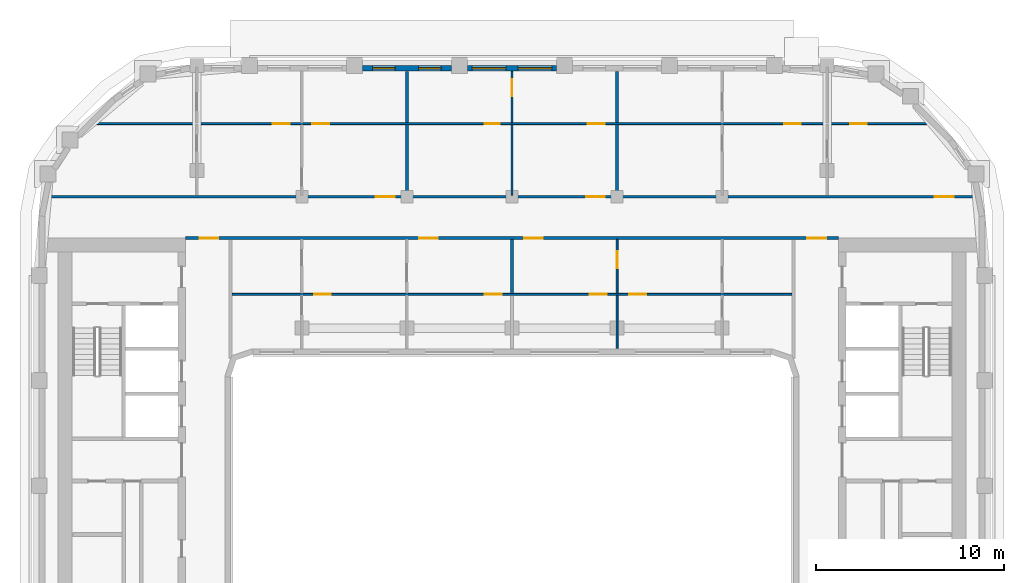
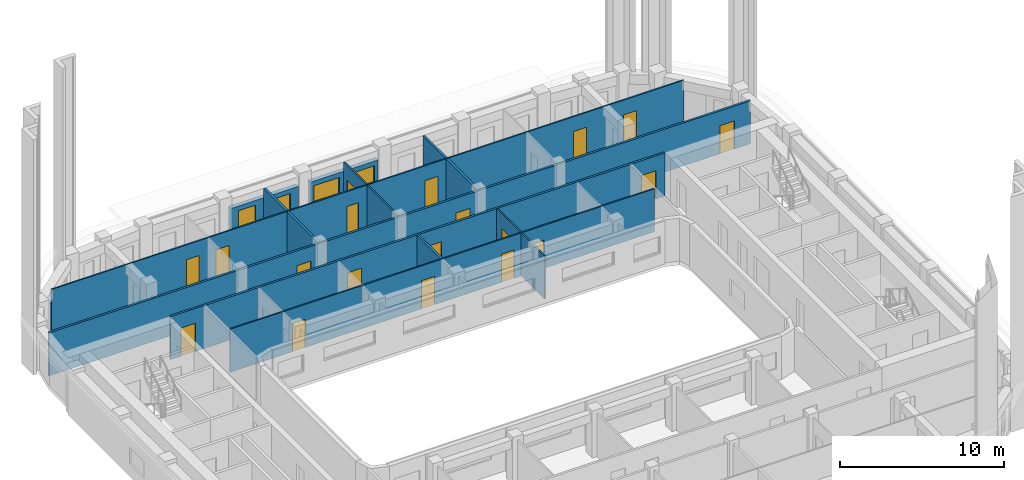
# One storey, part 7 of 21: 19 doors, 15 walls, 4 windows, 23 openings.
"""IFC4 building model written with IfcOpenShell, lengths in metres."""

from ifc_helpers import new_model, si_unit, direction, frame, frame_2d, origin, place, context, subcontext, project, spatial, rectangle, extrude, material, layer, layer_set, type_object, element, fill, save


model = new_model("IFC4")

# Units and contexts
model_context = context("Model", 3, precision=1e-05, world=origin(), true_north=direction((0.0, 1.0)))
body_context = subcontext(model_context, "Body", "Model", "MODEL_VIEW")
ifc_project = project(units=[si_unit("LENGTHUNIT", "METRE"), si_unit("AREAUNIT", "SQUARE_METRE"), si_unit("VOLUMEUNIT", "CUBIC_METRE"), si_unit("PLANEANGLEUNIT", "RADIAN"), si_unit("MASSUNIT", "GRAM", prefix="KILO")], contexts=[model_context])

# Site, building, storey
site_placement = place(None, origin())
site = spatial("IfcSite", under=ifc_project, at=site_placement, CompositionType="ELEMENT")
building_placement = place(site_placement, origin())
building = spatial("IfcBuilding", under=site, at=building_placement, Name="Kiln Ring Residences", CompositionType="ELEMENT")
storey_placement = place(building_placement, frame((0.0, 0.0, 213.39990234375)))
storey = spatial("IfcBuildingStorey", under=building, at=storey_placement, Name="L55", CompositionType="ELEMENT", Elevation=213.39990234375)

# Wall, openings, windows
ifc_material_1 = material(Name="Brick masonry, dark clay brick", Category="masonry")
ifc_layer_1 = layer(ifc_material_1, 0.300048828125)
ifc_layer_set_1 = layer_set([ifc_layer_1], Name="EW-300 BRICK WALL")
wall_type_1 = type_object("IfcWallType", Name="EW-300 BRICK WALL", PredefinedType="SOLIDWALL", material=ifc_layer_set_1)
wall_1_placement = place(storey_placement, frame((2.375, 22.25, 0.0), z_axis=(0.0, 0.0, 1.0), x_axis=(-1.0, 0.0, 0.0)))
wall_1 = element("IfcWall", 1, at=wall_1_placement, inside=storey, type_object=wall_type_1, Name="Facade wall L55 30", PredefinedType="SOLIDWALL", context=body_context, shape_type="SweptSolid", body=[
    extrude(rectangle(XDim=4.75, YDim=0.300048828125, at=frame_2d((2.375, 0.0))), origin(), (0.0, 0.0, 1.0), 2.5),
])
opening_1_placement = place(wall_1_placement, frame((0.25, 0.0, 0.89990234375)))
opening_1 = element("IfcOpeningElement", 2, at=opening_1_placement, cuts=wall_1, Name="Opening W2", PredefinedType="OPENING", context=body_context, shape_type="SweptSolid", body=[
    extrude(rectangle(XDim=1.800048828125, YDim=1.25, at=frame_2d((0.89990234375, 0.625))), frame((0.0, 0.159912109375, 0.0), z_axis=(0.0, -1.0, 0.0), x_axis=(1.0, 0.0, 0.0)), (0.0, 0.0, 1.0), 0.320068359375),
])
opening_2_placement = place(wall_1_placement, frame((2.699951171875, 0.0, 0.89990234375)))
opening_2 = element("IfcOpeningElement", 3, at=opening_2_placement, cuts=wall_1, Name="Opening W2", PredefinedType="OPENING", context=body_context, shape_type="SweptSolid", body=[
    extrude(rectangle(XDim=1.800048828125, YDim=1.25, at=frame_2d((0.89990234375, 0.625))), frame((0.0, 0.159912109375, 0.0), z_axis=(0.0, -1.0, 0.0), x_axis=(1.0, 0.0, 0.0)), (0.0, 0.0, 1.0), 0.320068359375),
])
ifc_material_2 = material(Name="Aluminium frame with double glazing", Category="aluminium")
window_type_1 = type_object("IfcWindowType", Name="WINDOW 1800 x 1250", PartitioningType="SINGLE_PANEL", PredefinedType="WINDOW", material=ifc_material_2)
window_1_placement = place(opening_1_placement, origin())
window_1 = element("IfcWindow", 4, at=window_1_placement, inside=storey, type_object=window_type_1, Name="Window L55 24", OverallHeight=1.25, OverallWidth=1.800048828125, PartitioningType="SINGLE_PANEL", PredefinedType="WINDOW", context=body_context, shape_type="SweptSolid", body=[
    extrude(rectangle(XDim=1.800048828125, YDim=1.25, at=frame_2d((0.89990234375, 0.625))), frame((0.0, 0.030029296875, 0.0), z_axis=(0.0, -1.0, 0.0), x_axis=(1.0, 0.0, 0.0)), (0.0, 0.0, 1.0), 0.06005859375),
])
fill(opening_1, window_1)
window_2_placement = place(opening_2_placement, origin())
window_2 = element("IfcWindow", 5, at=window_2_placement, inside=storey, type_object=window_type_1, Name="Window L55 25", OverallHeight=1.25, OverallWidth=1.800048828125, PartitioningType="SINGLE_PANEL", PredefinedType="WINDOW", context=body_context, shape_type="SweptSolid", body=[
    extrude(rectangle(XDim=1.800048828125, YDim=1.25, at=frame_2d((0.89990234375, 0.625))), frame((0.0, 0.030029296875, 0.0), z_axis=(0.0, -1.0, 0.0), x_axis=(1.0, 0.0, 0.0)), (0.0, 0.0, 1.0), 0.06005859375),
])
fill(opening_2, window_2)

wall_2_placement = place(storey_placement, frame((-3.22509765625, 22.25, 0.0), z_axis=(0.0, 0.0, 1.0), x_axis=(-1.0, 0.0, 0.0)))
wall_2 = element("IfcWall", 6, at=wall_2_placement, inside=storey, type_object=wall_type_1, Name="Facade wall L55 31", PredefinedType="SOLIDWALL", context=body_context, shape_type="SweptSolid", body=[
    extrude(rectangle(XDim=4.75, YDim=0.300048828125, at=frame_2d((2.375, 0.0))), origin(), (0.0, 0.0, 1.0), 2.5),
])
opening_3_placement = place(wall_2_placement, frame((0.550048828125, 0.0, 0.60009765625)))
opening_3 = element("IfcOpeningElement", 7, at=opening_3_placement, cuts=wall_2, Name="Opening W1", PredefinedType="OPENING", context=body_context, shape_type="SweptSolid", body=[
    extrude(rectangle(XDim=1.199951171875, YDim=1.550048828125, at=frame_2d((0.60009765625, 0.77490234375))), frame((0.0, 0.159912109375, 0.0), z_axis=(0.0, -1.0, 0.0), x_axis=(1.0, 0.0, 0.0)), (0.0, 0.0, 1.0), 0.320068359375),
])
opening_4_placement = place(wall_2_placement, frame((3.0, 0.0, 0.60009765625)))
opening_4 = element("IfcOpeningElement", 8, at=opening_4_placement, cuts=wall_2, Name="Opening W1", PredefinedType="OPENING", context=body_context, shape_type="SweptSolid", body=[
    extrude(rectangle(XDim=1.199951171875, YDim=1.550048828125, at=frame_2d((0.60009765625, 0.77490234375))), frame((0.0, 0.159912109375, 0.0), z_axis=(0.0, -1.0, 0.0), x_axis=(1.0, 0.0, 0.0)), (0.0, 0.0, 1.0), 0.320068359375),
])
ifc_material_3 = material(Name="Aluminium frame with double glazing", Category="aluminium")
window_type_2 = type_object("IfcWindowType", Name="WINDOW 1200 x 1550", PartitioningType="SINGLE_PANEL", PredefinedType="WINDOW", material=ifc_material_3)
window_3_placement = place(opening_3_placement, origin())
window_3 = element("IfcWindow", 9, at=window_3_placement, inside=storey, type_object=window_type_2, Name="Window L55 26", OverallHeight=1.550048828125, OverallWidth=1.199951171875, PartitioningType="SINGLE_PANEL", PredefinedType="WINDOW", context=body_context, shape_type="SweptSolid", body=[
    extrude(rectangle(XDim=1.199951171875, YDim=1.550048828125, at=frame_2d((0.60009765625, 0.77490234375))), frame((0.0, 0.030029296875, 0.0), z_axis=(0.0, -1.0, 0.0), x_axis=(1.0, 0.0, 0.0)), (0.0, 0.0, 1.0), 0.06005859375),
])
fill(opening_3, window_3)
window_4_placement = place(opening_4_placement, origin())
window_4 = element("IfcWindow", 10, at=window_4_placement, inside=storey, type_object=window_type_2, Name="Window L55 27", OverallHeight=1.550048828125, OverallWidth=1.199951171875, PartitioningType="SINGLE_PANEL", PredefinedType="WINDOW", context=body_context, shape_type="SweptSolid", body=[
    extrude(rectangle(XDim=1.199951171875, YDim=1.550048828125, at=frame_2d((0.60009765625, 0.77490234375))), frame((0.0, 0.030029296875, 0.0), z_axis=(0.0, -1.0, 0.0), x_axis=(1.0, 0.0, 0.0)), (0.0, 0.0, 1.0), 0.06005859375),
])
fill(opening_4, window_4)

# Wall, openings, doors
ifc_material_4 = material(Name="Gypsum board on steel studs", Category="steel")
ifc_layer_2 = layer(ifc_material_4, 0.10009765625)
ifc_layer_set_2 = layer_set([ifc_layer_2], Name="PARTITION-100")
wall_type_2 = type_object("IfcWallType", Name="PARTITION-100", PredefinedType="PARTITIONING", material=ifc_layer_set_2)
wall_3_placement = place(storey_placement, frame((-14.925048828125, 10.199951171875, 0.0), z_axis=(0.0, 0.0, 1.0), x_axis=(1.0, 0.0, 0.0)))
wall_3 = element("IfcWall", 11, at=wall_3_placement, inside=storey, type_object=wall_type_2, Name="Partition 003", PredefinedType="PARTITIONING", context=body_context, shape_type="SweptSolid", body=[
    extrude(rectangle(XDim=29.85009765625, YDim=0.10009765625, at=frame_2d((14.925048828125, 0.0))), origin(), (0.0, 0.0, 1.0), 3.2001953125),
])
opening_5_placement = place(wall_3_placement, frame((13.47509765625, 0.0, 0.0)))
opening_5 = element("IfcOpeningElement", 12, at=opening_5_placement, cuts=wall_3, Name="Opening L55-D008", PredefinedType="OPENING", context=body_context, shape_type="SweptSolid", body=[
    extrude(rectangle(XDim=0.89990234375, YDim=2.10009765625, at=frame_2d((0.449951171875, 1.050048828125))), frame((0.0, 0.06005859375, 0.0), z_axis=(0.0, -1.0, 0.0), x_axis=(1.0, 0.0, 0.0)), (0.0, 0.0, 1.0), 0.1201171875),
])
opening_6_placement = place(wall_3_placement, frame((4.375, 0.0, 0.0)))
opening_6 = element("IfcOpeningElement", 13, at=opening_6_placement, cuts=wall_3, Name="Opening L55-D009", PredefinedType="OPENING", context=body_context, shape_type="SweptSolid", body=[
    extrude(rectangle(XDim=0.89990234375, YDim=2.10009765625, at=frame_2d((0.449951171875, 1.050048828125))), frame((0.0, 0.06005859375, 0.0), z_axis=(0.0, -1.0, 0.0), x_axis=(1.0, 0.0, 0.0)), (0.0, 0.0, 1.0), 0.1201171875),
])
opening_7_placement = place(wall_3_placement, frame((19.074951171875, 0.0, 0.0)))
opening_7 = element("IfcOpeningElement", 14, at=opening_7_placement, cuts=wall_3, Name="Opening L55-D014", PredefinedType="OPENING", context=body_context, shape_type="SweptSolid", body=[
    extrude(rectangle(XDim=0.89990234375, YDim=2.10009765625, at=frame_2d((0.449951171875, 1.050048828125))), frame((0.0, 0.06005859375, 0.0), z_axis=(0.0, -1.0, 0.0), x_axis=(1.0, 0.0, 0.0)), (0.0, 0.0, 1.0), 0.1201171875),
])
opening_8_placement = place(wall_3_placement, frame((21.175048828125, 0.0, 0.0)))
opening_8 = element("IfcOpeningElement", 15, at=opening_8_placement, cuts=wall_3, Name="Opening L55-D015", PredefinedType="OPENING", context=body_context, shape_type="SweptSolid", body=[
    extrude(rectangle(XDim=0.89990234375, YDim=2.10009765625, at=frame_2d((0.449951171875, 1.050048828125))), frame((0.0, 0.06005859375, 0.0), z_axis=(0.0, -1.0, 0.0), x_axis=(1.0, 0.0, 0.0)), (0.0, 0.0, 1.0), 0.1201171875),
])
ifc_material_5 = material(Name="Timber door leaf", Category="wood")
door_type_1 = type_object("IfcDoorType", Name="FLAT-DOOR-900-PL", OperationType="SINGLE_SWING_LEFT", PredefinedType="DOOR", material=ifc_material_5)
door_1_placement = place(opening_5_placement, origin())
door_1 = element("IfcDoor", 16, at=door_1_placement, inside=storey, type_object=door_type_1, Name="Door L55-D008", OperationType="SINGLE_SWING_RIGHT", OverallHeight=2.10009765625, OverallWidth=0.89990234375, PredefinedType="DOOR", context=body_context, shape_type="SweptSolid", body=[
    extrude(rectangle(XDim=0.89990234375, YDim=2.10009765625, at=frame_2d((0.449951171875, 1.050048828125))), frame((0.0, 0.02490234375, 0.0), z_axis=(0.0, -1.0, 0.0), x_axis=(1.0, 0.0, 0.0)), (0.0, 0.0, 1.0), 0.050048828125),
])
fill(opening_5, door_1)
door_2_placement = place(opening_6_placement, origin())
door_2 = element("IfcDoor", 17, at=door_2_placement, inside=storey, type_object=door_type_1, Name="Door L55-D009", OperationType="SINGLE_SWING_LEFT", OverallHeight=2.10009765625, OverallWidth=0.89990234375, PredefinedType="DOOR", context=body_context, shape_type="SweptSolid", body=[
    extrude(rectangle(XDim=0.89990234375, YDim=2.10009765625, at=frame_2d((0.449951171875, 1.050048828125))), frame((0.0, 0.02490234375, 0.0), z_axis=(0.0, -1.0, 0.0), x_axis=(1.0, 0.0, 0.0)), (0.0, 0.0, 1.0), 0.050048828125),
])
fill(opening_6, door_2)
door_3_placement = place(opening_7_placement, origin())
door_3 = element("IfcDoor", 18, at=door_3_placement, inside=storey, type_object=door_type_1, Name="Door L55-D014", OperationType="SINGLE_SWING_RIGHT", OverallHeight=2.10009765625, OverallWidth=0.89990234375, PredefinedType="DOOR", context=body_context, shape_type="SweptSolid", body=[
    extrude(rectangle(XDim=0.89990234375, YDim=2.10009765625, at=frame_2d((0.449951171875, 1.050048828125))), frame((0.0, 0.02490234375, 0.0), z_axis=(0.0, -1.0, 0.0), x_axis=(1.0, 0.0, 0.0)), (0.0, 0.0, 1.0), 0.050048828125),
])
fill(opening_7, door_3)
door_4_placement = place(opening_8_placement, origin())
door_4 = element("IfcDoor", 19, at=door_4_placement, inside=storey, type_object=door_type_1, Name="Door L55-D015", OperationType="SINGLE_SWING_LEFT", OverallHeight=2.10009765625, OverallWidth=0.89990234375, PredefinedType="DOOR", context=body_context, shape_type="SweptSolid", body=[
    extrude(rectangle(XDim=0.89990234375, YDim=2.10009765625, at=frame_2d((0.449951171875, 1.050048828125))), frame((0.0, 0.02490234375, 0.0), z_axis=(0.0, -1.0, 0.0), x_axis=(1.0, 0.0, 0.0)), (0.0, 0.0, 1.0), 0.050048828125),
])
fill(opening_8, door_4)

wall_4_placement = place(storey_placement, frame((-22.255615234375, 19.300048828125, 0.0), z_axis=(0.0, 0.0, 1.0), x_axis=(1.0, 0.0, 0.0)))
wall_4 = element("IfcWall", 20, at=wall_4_placement, inside=storey, type_object=wall_type_2, Name="Partition 006", PredefinedType="PARTITIONING", context=body_context, shape_type="SweptSolid", body=[
    extrude(rectangle(XDim=44.51123046875, YDim=0.10009765625, at=frame_2d((22.255615234375, 0.0))), origin(), (0.0, 0.0, 1.0), 3.2001953125),
])
opening_9_placement = place(wall_4_placement, frame((11.605712890625, 0.0, 0.0)))
opening_9 = element("IfcOpeningElement", 21, at=opening_9_placement, cuts=wall_4, Name="Opening L55-D020", PredefinedType="OPENING", context=body_context, shape_type="SweptSolid", body=[
    extrude(rectangle(XDim=0.89990234375, YDim=2.10009765625, at=frame_2d((0.449951171875, 1.050048828125))), frame((0.0, 0.06005859375, 0.0), z_axis=(0.0, -1.0, 0.0), x_axis=(1.0, 0.0, 0.0)), (0.0, 0.0, 1.0), 0.1201171875),
])
opening_10_placement = place(wall_4_placement, frame((9.505615234375, 0.0, 0.0)))
opening_10 = element("IfcOpeningElement", 22, at=opening_10_placement, cuts=wall_4, Name="Opening L55-D021", PredefinedType="OPENING", context=body_context, shape_type="SweptSolid", body=[
    extrude(rectangle(XDim=0.89990234375, YDim=2.10009765625, at=frame_2d((0.449951171875, 1.050048828125))), frame((0.0, 0.06005859375, 0.0), z_axis=(0.0, -1.0, 0.0), x_axis=(1.0, 0.0, 0.0)), (0.0, 0.0, 1.0), 0.1201171875),
])
opening_11_placement = place(wall_4_placement, frame((20.8056640625, 0.0, 0.0)))
opening_11 = element("IfcOpeningElement", 23, at=opening_11_placement, cuts=wall_4, Name="Opening L55-D024", PredefinedType="OPENING", context=body_context, shape_type="SweptSolid", body=[
    extrude(rectangle(XDim=0.800048828125, YDim=2.10009765625, at=frame_2d((0.39990234375, 1.050048828125))), frame((0.0, 0.06005859375, 0.0), z_axis=(0.0, -1.0, 0.0), x_axis=(1.0, 0.0, 0.0)), (0.0, 0.0, 1.0), 0.1201171875),
])
opening_12_placement = place(wall_4_placement, frame((26.3056640625, 0.0, 0.0)))
opening_12 = element("IfcOpeningElement", 24, at=opening_12_placement, cuts=wall_4, Name="Opening L55-D025", PredefinedType="OPENING", context=body_context, shape_type="SweptSolid", body=[
    extrude(rectangle(XDim=0.89990234375, YDim=2.10009765625, at=frame_2d((0.449951171875, 1.050048828125))), frame((0.0, 0.06005859375, 0.0), z_axis=(0.0, -1.0, 0.0), x_axis=(1.0, 0.0, 0.0)), (0.0, 0.0, 1.0), 0.1201171875),
])
opening_13_placement = place(wall_4_placement, frame((40.277587890625, 0.0, 0.0)))
opening_13 = element("IfcOpeningElement", 25, at=opening_13_placement, cuts=wall_4, Name="Opening L55-D030", PredefinedType="OPENING", context=body_context, shape_type="SweptSolid", body=[
    extrude(rectangle(XDim=0.89990234375, YDim=2.10009765625, at=frame_2d((0.449951171875, 1.050048828125))), frame((0.0, 0.06005859375, 0.0), z_axis=(0.0, -1.0, 0.0), x_axis=(1.0, 0.0, 0.0)), (0.0, 0.0, 1.0), 0.1201171875),
])
opening_14_placement = place(wall_4_placement, frame((36.755615234375, 0.0, 0.0)))
opening_14 = element("IfcOpeningElement", 26, at=opening_14_placement, cuts=wall_4, Name="Opening L55-D031", PredefinedType="OPENING", context=body_context, shape_type="SweptSolid", body=[
    extrude(rectangle(XDim=0.89990234375, YDim=2.10009765625, at=frame_2d((0.449951171875, 1.050048828125))), frame((0.0, 0.06005859375, 0.0), z_axis=(0.0, -1.0, 0.0), x_axis=(1.0, 0.0, 0.0)), (0.0, 0.0, 1.0), 0.1201171875),
])
ifc_material_6 = material(Name="Timber door leaf", Category="wood")
door_type_2 = type_object("IfcDoorType", Name="FLAT-DOOR-800-PL", OperationType="SINGLE_SWING_LEFT", PredefinedType="DOOR", material=ifc_material_6)
door_5_placement = place(opening_11_placement, origin())
door_5 = element("IfcDoor", 27, at=door_5_placement, inside=storey, type_object=door_type_2, Name="Door L55-D024", OperationType="SINGLE_SWING_RIGHT", OverallHeight=2.10009765625, OverallWidth=0.800048828125, PredefinedType="DOOR", context=body_context, shape_type="SweptSolid", body=[
    extrude(rectangle(XDim=0.800048828125, YDim=2.10009765625, at=frame_2d((0.39990234375, 1.050048828125))), frame((0.0, 0.02490234375, 0.0), z_axis=(0.0, -1.0, 0.0), x_axis=(1.0, 0.0, 0.0)), (0.0, 0.0, 1.0), 0.050048828125),
])
fill(opening_11, door_5)
door_6_placement = place(opening_9_placement, origin())
door_6 = element("IfcDoor", 28, at=door_6_placement, inside=storey, type_object=door_type_1, Name="Door L55-D020", OperationType="SINGLE_SWING_RIGHT", OverallHeight=2.10009765625, OverallWidth=0.89990234375, PredefinedType="DOOR", context=body_context, shape_type="SweptSolid", body=[
    extrude(rectangle(XDim=0.89990234375, YDim=2.10009765625, at=frame_2d((0.449951171875, 1.050048828125))), frame((0.0, 0.02490234375, 0.0), z_axis=(0.0, -1.0, 0.0), x_axis=(1.0, 0.0, 0.0)), (0.0, 0.0, 1.0), 0.050048828125),
])
fill(opening_9, door_6)
door_7_placement = place(opening_10_placement, origin())
door_7 = element("IfcDoor", 29, at=door_7_placement, inside=storey, type_object=door_type_1, Name="Door L55-D021", OperationType="SINGLE_SWING_LEFT", OverallHeight=2.10009765625, OverallWidth=0.89990234375, PredefinedType="DOOR", context=body_context, shape_type="SweptSolid", body=[
    extrude(rectangle(XDim=0.89990234375, YDim=2.10009765625, at=frame_2d((0.449951171875, 1.050048828125))), frame((0.0, 0.02490234375, 0.0), z_axis=(0.0, -1.0, 0.0), x_axis=(1.0, 0.0, 0.0)), (0.0, 0.0, 1.0), 0.050048828125),
])
fill(opening_10, door_7)
door_8_placement = place(opening_12_placement, origin())
door_8 = element("IfcDoor", 30, at=door_8_placement, inside=storey, type_object=door_type_1, Name="Door L55-D025", OperationType="SINGLE_SWING_LEFT", OverallHeight=2.10009765625, OverallWidth=0.89990234375, PredefinedType="DOOR", context=body_context, shape_type="SweptSolid", body=[
    extrude(rectangle(XDim=0.89990234375, YDim=2.10009765625, at=frame_2d((0.449951171875, 1.050048828125))), frame((0.0, 0.02490234375, 0.0), z_axis=(0.0, -1.0, 0.0), x_axis=(1.0, 0.0, 0.0)), (0.0, 0.0, 1.0), 0.050048828125),
])
fill(opening_12, door_8)
door_9_placement = place(opening_13_placement, origin())
door_9 = element("IfcDoor", 31, at=door_9_placement, inside=storey, type_object=door_type_1, Name="Door L55-D030", OperationType="SINGLE_SWING_RIGHT", OverallHeight=2.10009765625, OverallWidth=0.89990234375, PredefinedType="DOOR", context=body_context, shape_type="SweptSolid", body=[
    extrude(rectangle(XDim=0.89990234375, YDim=2.10009765625, at=frame_2d((0.449951171875, 1.050048828125))), frame((0.0, 0.02490234375, 0.0), z_axis=(0.0, -1.0, 0.0), x_axis=(1.0, 0.0, 0.0)), (0.0, 0.0, 1.0), 0.050048828125),
])
fill(opening_13, door_9)
door_10_placement = place(opening_14_placement, origin())
door_10 = element("IfcDoor", 32, at=door_10_placement, inside=storey, type_object=door_type_1, Name="Door L55-D031", OperationType="SINGLE_SWING_LEFT", OverallHeight=2.10009765625, OverallWidth=0.89990234375, PredefinedType="DOOR", context=body_context, shape_type="SweptSolid", body=[
    extrude(rectangle(XDim=0.89990234375, YDim=2.10009765625, at=frame_2d((0.449951171875, 1.050048828125))), frame((0.0, 0.02490234375, 0.0), z_axis=(0.0, -1.0, 0.0), x_axis=(1.0, 0.0, 0.0)), (0.0, 0.0, 1.0), 0.050048828125),
])
fill(opening_14, door_10)

# Wall
wall_5_placement = place(storey_placement, frame((0.0, 15.47509765625, 0.0), z_axis=(0.0, 0.0, 1.0), x_axis=(0.0, 1.0, 0.0)))
element("IfcWall", 33, at=wall_5_placement, inside=storey, type_object=wall_type_2, Name="Partition 030", PredefinedType="PARTITIONING", context=body_context, shape_type="SweptSolid", body=[
    extrude(rectangle(XDim=3.77490234375, YDim=0.10009765625, at=frame_2d((1.887451171875, 0.0))), origin(), (0.0, 0.0, 1.0), 3.2001953125),
])

# Wall, opening, door
wall_6_placement = place(storey_placement, frame((0.0, 19.35009765625, 0.0), z_axis=(0.0, 0.0, 1.0), x_axis=(0.0, 1.0, 0.0)))
wall_6 = element("IfcWall", 34, at=wall_6_placement, inside=storey, type_object=wall_type_2, Name="Partition 031", PredefinedType="PARTITIONING", context=body_context, shape_type="SweptSolid", body=[
    extrude(rectangle(XDim=2.72998046875, YDim=0.10009765625, at=frame_2d((1.364990234375, 0.0))), origin(), (0.0, 0.0, 1.0), 3.2001953125),
])
opening_15_placement = place(wall_6_placement, frame((1.409912109375, 0.0, 0.0)))
opening_15 = element("IfcOpeningElement", 35, at=opening_15_placement, cuts=wall_6, Name="Opening L55-D026", PredefinedType="OPENING", context=body_context, shape_type="SweptSolid", body=[
    extrude(rectangle(XDim=0.89990234375, YDim=2.10009765625, at=frame_2d((0.449951171875, 1.050048828125))), frame((0.0, 0.06005859375, 0.0), z_axis=(0.0, -1.0, 0.0), x_axis=(1.0, 0.0, 0.0)), (0.0, 0.0, 1.0), 0.1201171875),
])
door_11_placement = place(opening_15_placement, origin())
door_11 = element("IfcDoor", 36, at=door_11_placement, inside=storey, type_object=door_type_1, Name="Door L55-D026", OperationType="SINGLE_SWING_LEFT", OverallHeight=2.10009765625, OverallWidth=0.89990234375, PredefinedType="DOOR", context=body_context, shape_type="SweptSolid", body=[
    extrude(rectangle(XDim=0.89990234375, YDim=2.10009765625, at=frame_2d((0.449951171875, 1.050048828125))), frame((0.0, 0.02490234375, 0.0), z_axis=(0.0, -1.0, 0.0), x_axis=(1.0, 0.0, 0.0)), (0.0, 0.0, 1.0), 0.050048828125),
])
fill(opening_15, door_11)

# Wall
wall_7_placement = place(storey_placement, frame((5.60009765625, 7.320068359375, 0.0), z_axis=(0.0, 0.0, 1.0), x_axis=(0.0, 1.0, 0.0)))
element("IfcWall", 37, at=wall_7_placement, inside=storey, type_object=wall_type_2, Name="Partition 035", PredefinedType="PARTITIONING", context=body_context, shape_type="SweptSolid", body=[
    extrude(rectangle(XDim=2.829833984375, YDim=0.10009765625, at=frame_2d((1.4150390625, 0.0))), origin(), (0.0, 0.0, 1.0), 3.2001953125),
])

# Wall, opening, door
wall_8_placement = place(storey_placement, frame((5.60009765625, 10.25, 0.0), z_axis=(0.0, 0.0, 1.0), x_axis=(0.0, 1.0, 0.0)))
wall_8 = element("IfcWall", 38, at=wall_8_placement, inside=storey, type_object=wall_type_2, Name="Partition 036", PredefinedType="PARTITIONING", context=body_context, shape_type="SweptSolid", body=[
    extrude(rectangle(XDim=2.875, YDim=0.10009765625, at=frame_2d((1.4375, 0.0))), origin(), (0.0, 0.0, 1.0), 3.2001953125),
])
opening_16_placement = place(wall_8_placement, frame((1.35009765625, 0.0, 0.0)))
opening_16 = element("IfcOpeningElement", 39, at=opening_16_placement, cuts=wall_8, Name="Opening L55-D012", PredefinedType="OPENING", context=body_context, shape_type="SweptSolid", body=[
    extrude(rectangle(XDim=0.89990234375, YDim=2.10009765625, at=frame_2d((0.449951171875, 1.050048828125))), frame((0.0, 0.06005859375, 0.0), z_axis=(0.0, -1.0, 0.0), x_axis=(1.0, 0.0, 0.0)), (0.0, 0.0, 1.0), 0.1201171875),
])
door_12_placement = place(opening_16_placement, origin())
door_12 = element("IfcDoor", 40, at=door_12_placement, inside=storey, type_object=door_type_1, Name="Door L55-D012", OperationType="SINGLE_SWING_RIGHT", OverallHeight=2.10009765625, OverallWidth=0.89990234375, PredefinedType="DOOR", context=body_context, shape_type="SweptSolid", body=[
    extrude(rectangle(XDim=0.89990234375, YDim=2.10009765625, at=frame_2d((0.449951171875, 1.050048828125))), frame((0.0, 0.02490234375, 0.0), z_axis=(0.0, -1.0, 0.0), x_axis=(1.0, 0.0, 0.0)), (0.0, 0.0, 1.0), 0.050048828125),
])
fill(opening_16, door_12)

# Wall, openings, doors
ifc_material_7 = material(Name="Brick masonry partition", Category="masonry")
ifc_layer_3 = layer(ifc_material_7, 0.14990234375)
ifc_layer_set_3 = layer_set([ifc_layer_3], Name="PARTITION-150-ei60")
wall_type_3 = type_object("IfcWallType", Name="PARTITION-150-ei60", PredefinedType="PARTITIONING", material=ifc_layer_set_3)
wall_9_placement = place(storey_placement, frame((-17.39990234375, 13.199951171875, 0.0), z_axis=(0.0, 0.0, 1.0), x_axis=(1.0, 0.0, 0.0)))
wall_9 = element("IfcWall", 41, at=wall_9_placement, inside=storey, type_object=wall_type_3, Name="Partition 004", PredefinedType="PARTITIONING", context=body_context, shape_type="SweptSolid", body=[
    extrude(rectangle(XDim=34.7998046875, YDim=0.14990234375, at=frame_2d((17.39990234375, 0.0))), origin(), (0.0, 0.0, 1.0), 3.2001953125),
])
opening_17_placement = place(wall_9_placement, frame((0.75, 0.0, 0.0)))
opening_17 = element("IfcOpeningElement", 42, at=opening_17_placement, cuts=wall_9, Name="Opening L55-D001", PredefinedType="OPENING", context=body_context, shape_type="SweptSolid", body=[
    extrude(rectangle(XDim=1.0, YDim=2.10009765625, at=frame_2d((0.5, 1.050048828125))), frame((0.0, 0.0849609375, 0.0), z_axis=(0.0, -1.0, 0.0), x_axis=(1.0, 0.0, 0.0)), (0.0, 0.0, 1.0), 0.169921875),
])
opening_18_placement = place(wall_9_placement, frame((33.14990234375, 0.0, 0.0)))
opening_18 = element("IfcOpeningElement", 43, at=opening_18_placement, cuts=wall_9, Name="Opening L55-D002", PredefinedType="OPENING", context=body_context, shape_type="SweptSolid", body=[
    extrude(rectangle(XDim=1.0, YDim=2.10009765625, at=frame_2d((0.5, 1.050048828125))), frame((0.0, 0.0849609375, 0.0), z_axis=(0.0, -1.0, 0.0), x_axis=(1.0, 0.0, 0.0)), (0.0, 0.0, 1.0), 0.169921875),
])
opening_19_placement = place(wall_9_placement, frame((12.449951171875, 0.0, 0.0)))
opening_19 = element("IfcOpeningElement", 44, at=opening_19_placement, cuts=wall_9, Name="Opening L55-D005", PredefinedType="OPENING", context=body_context, shape_type="SweptSolid", body=[
    extrude(rectangle(XDim=1.0, YDim=2.10009765625, at=frame_2d((0.5, 1.050048828125))), frame((0.0, 0.0849609375, 0.0), z_axis=(0.0, -1.0, 0.0), x_axis=(1.0, 0.0, 0.0)), (0.0, 0.0, 1.0), 0.169921875),
])
opening_20_placement = place(wall_9_placement, frame((18.050048828125, 0.0, 0.0)))
opening_20 = element("IfcOpeningElement", 45, at=opening_20_placement, cuts=wall_9, Name="Opening L55-D011", PredefinedType="OPENING", context=body_context, shape_type="SweptSolid", body=[
    extrude(rectangle(XDim=1.0, YDim=2.10009765625, at=frame_2d((0.5, 1.050048828125))), frame((0.0, 0.0849609375, 0.0), z_axis=(0.0, -1.0, 0.0), x_axis=(1.0, 0.0, 0.0)), (0.0, 0.0, 1.0), 0.169921875),
])
ifc_material_8 = material(Name="Steel faced fire door leaf", Category="steel")
door_type_3 = type_object("IfcDoorType", Name="FLAT-DOOR-1000-FR", OperationType="SINGLE_SWING_LEFT", PredefinedType="DOOR", material=ifc_material_8)
door_13_placement = place(opening_17_placement, origin())
door_13 = element("IfcDoor", 46, at=door_13_placement, inside=storey, type_object=door_type_3, Name="Door L55-D001", OperationType="SINGLE_SWING_RIGHT", OverallHeight=2.10009765625, OverallWidth=1.0, PredefinedType="DOOR", context=body_context, shape_type="SweptSolid", body=[
    extrude(rectangle(XDim=1.0, YDim=2.10009765625, at=frame_2d((0.5, 1.050048828125))), frame((0.0, 0.02490234375, 0.0), z_axis=(0.0, -1.0, 0.0), x_axis=(1.0, 0.0, 0.0)), (0.0, 0.0, 1.0), 0.050048828125),
])
fill(opening_17, door_13)
door_14_placement = place(opening_18_placement, origin())
door_14 = element("IfcDoor", 47, at=door_14_placement, inside=storey, type_object=door_type_3, Name="Door L55-D002", OperationType="SINGLE_SWING_LEFT", OverallHeight=2.10009765625, OverallWidth=1.0, PredefinedType="DOOR", context=body_context, shape_type="SweptSolid", body=[
    extrude(rectangle(XDim=1.0, YDim=2.10009765625, at=frame_2d((0.5, 1.050048828125))), frame((0.0, 0.02490234375, 0.0), z_axis=(0.0, -1.0, 0.0), x_axis=(1.0, 0.0, 0.0)), (0.0, 0.0, 1.0), 0.050048828125),
])
fill(opening_18, door_14)
door_15_placement = place(opening_19_placement, origin())
door_15 = element("IfcDoor", 48, at=door_15_placement, inside=storey, type_object=door_type_3, Name="Door L55-D005", OperationType="SINGLE_SWING_LEFT", OverallHeight=2.10009765625, OverallWidth=1.0, PredefinedType="DOOR", context=body_context, shape_type="SweptSolid", body=[
    extrude(rectangle(XDim=1.0, YDim=2.10009765625, at=frame_2d((0.5, 1.050048828125))), frame((0.0, 0.02490234375, 0.0), z_axis=(0.0, -1.0, 0.0), x_axis=(1.0, 0.0, 0.0)), (0.0, 0.0, 1.0), 0.050048828125),
])
fill(opening_19, door_15)
door_16_placement = place(opening_20_placement, origin())
door_16 = element("IfcDoor", 49, at=door_16_placement, inside=storey, type_object=door_type_3, Name="Door L55-D011", OperationType="SINGLE_SWING_LEFT", OverallHeight=2.10009765625, OverallWidth=1.0, PredefinedType="DOOR", context=body_context, shape_type="SweptSolid", body=[
    extrude(rectangle(XDim=1.0, YDim=2.10009765625, at=frame_2d((0.5, 1.050048828125))), frame((0.0, 0.02490234375, 0.0), z_axis=(0.0, -1.0, 0.0), x_axis=(1.0, 0.0, 0.0)), (0.0, 0.0, 1.0), 0.050048828125),
])
fill(opening_20, door_16)

wall_10_placement = place(storey_placement, frame((-24.683837890625, 15.39990234375, 0.0), z_axis=(0.0, 0.0, 1.0), x_axis=(1.0, 0.0, 0.0)))
wall_10 = element("IfcWall", 50, at=wall_10_placement, inside=storey, type_object=wall_type_3, Name="Partition 005", PredefinedType="PARTITIONING", context=body_context, shape_type="SweptSolid", body=[
    extrude(rectangle(XDim=49.36767578125, YDim=0.14990234375, at=frame_2d((24.683837890625, 0.0))), origin(), (0.0, 0.0, 1.0), 3.2001953125),
])
opening_21_placement = place(wall_10_placement, frame((17.433837890625, 0.0, 0.0)))
opening_21 = element("IfcOpeningElement", 51, at=opening_21_placement, cuts=wall_10, Name="Opening L55-D017", PredefinedType="OPENING", context=body_context, shape_type="SweptSolid", body=[
    extrude(rectangle(XDim=1.0, YDim=2.10009765625, at=frame_2d((0.5, 1.050048828125))), frame((0.0, 0.0849609375, 0.0), z_axis=(0.0, -1.0, 0.0), x_axis=(1.0, 0.0, 0.0)), (0.0, 0.0, 1.0), 0.169921875),
])
opening_22_placement = place(wall_10_placement, frame((28.6337890625, 0.0, 0.0)))
opening_22 = element("IfcOpeningElement", 52, at=opening_22_placement, cuts=wall_10, Name="Opening L55-D023", PredefinedType="OPENING", context=body_context, shape_type="SweptSolid", body=[
    extrude(rectangle(XDim=1.0, YDim=2.10009765625, at=frame_2d((0.5, 1.050048828125))), frame((0.0, 0.0849609375, 0.0), z_axis=(0.0, -1.0, 0.0), x_axis=(1.0, 0.0, 0.0)), (0.0, 0.0, 1.0), 0.169921875),
])
opening_23_placement = place(wall_10_placement, frame((47.224853515625, 0.0, 0.0)))
opening_23 = element("IfcOpeningElement", 53, at=opening_23_placement, cuts=wall_10, Name="Opening L55-D027", PredefinedType="OPENING", context=body_context, shape_type="SweptSolid", body=[
    extrude(rectangle(XDim=1.0, YDim=2.10009765625, at=frame_2d((0.5, 1.050048828125))), frame((0.0, 0.0849609375, 0.0), z_axis=(0.0, -1.0, 0.0), x_axis=(1.0, 0.0, 0.0)), (0.0, 0.0, 1.0), 0.169921875),
])
door_17_placement = place(opening_21_placement, origin())
door_17 = element("IfcDoor", 54, at=door_17_placement, inside=storey, type_object=door_type_3, Name="Door L55-D017", OperationType="SINGLE_SWING_LEFT", OverallHeight=2.10009765625, OverallWidth=1.0, PredefinedType="DOOR", context=body_context, shape_type="SweptSolid", body=[
    extrude(rectangle(XDim=1.0, YDim=2.10009765625, at=frame_2d((0.5, 1.050048828125))), frame((0.0, 0.02490234375, 0.0), z_axis=(0.0, -1.0, 0.0), x_axis=(1.0, 0.0, 0.0)), (0.0, 0.0, 1.0), 0.050048828125),
])
fill(opening_21, door_17)
door_18_placement = place(opening_22_placement, origin())
door_18 = element("IfcDoor", 55, at=door_18_placement, inside=storey, type_object=door_type_3, Name="Door L55-D023", OperationType="SINGLE_SWING_LEFT", OverallHeight=2.10009765625, OverallWidth=1.0, PredefinedType="DOOR", context=body_context, shape_type="SweptSolid", body=[
    extrude(rectangle(XDim=1.0, YDim=2.10009765625, at=frame_2d((0.5, 1.050048828125))), frame((0.0, 0.02490234375, 0.0), z_axis=(0.0, -1.0, 0.0), x_axis=(1.0, 0.0, 0.0)), (0.0, 0.0, 1.0), 0.050048828125),
])
fill(opening_22, door_18)
door_19_placement = place(opening_23_placement, origin())
door_19 = element("IfcDoor", 56, at=door_19_placement, inside=storey, type_object=door_type_3, Name="Door L55-D027", OperationType="SINGLE_SWING_LEFT", OverallHeight=2.10009765625, OverallWidth=1.0, PredefinedType="DOOR", context=body_context, shape_type="SweptSolid", body=[
    extrude(rectangle(XDim=1.0, YDim=2.10009765625, at=frame_2d((0.5, 1.050048828125))), frame((0.0, 0.02490234375, 0.0), z_axis=(0.0, -1.0, 0.0), x_axis=(1.0, 0.0, 0.0)), (0.0, 0.0, 1.0), 0.050048828125),
])
fill(opening_23, door_19)

# Walls
wall_11_placement = place(storey_placement, frame((-5.60009765625, 15.47509765625, 0.0), z_axis=(0.0, 0.0, 1.0), x_axis=(0.0, 1.0, 0.0)))
element("IfcWall", 57, at=wall_11_placement, inside=storey, type_object=wall_type_3, Name="Partition 025", PredefinedType="PARTITIONING", context=body_context, shape_type="SweptSolid", body=[
    extrude(rectangle(XDim=3.77490234375, YDim=0.14990234375, at=frame_2d((1.887451171875, 0.0))), origin(), (0.0, 0.0, 1.0), 3.2001953125),
])
wall_12_placement = place(storey_placement, frame((-5.60009765625, 19.35009765625, 0.0), z_axis=(0.0, 0.0, 1.0), x_axis=(0.0, 1.0, 0.0)))
element("IfcWall", 58, at=wall_12_placement, inside=storey, type_object=wall_type_3, Name="Partition 026", PredefinedType="PARTITIONING", context=body_context, shape_type="SweptSolid", body=[
    extrude(rectangle(XDim=2.72998046875, YDim=0.14990234375, at=frame_2d((1.364990234375, 0.0))), origin(), (0.0, 0.0, 1.0), 3.2001953125),
])
wall_13_placement = place(storey_placement, frame((0.0, 10.25, 0.0), z_axis=(0.0, 0.0, 1.0), x_axis=(0.0, 1.0, 0.0)))
element("IfcWall", 59, at=wall_13_placement, inside=storey, type_object=wall_type_3, Name="Partition 033", PredefinedType="PARTITIONING", context=body_context, shape_type="SweptSolid", body=[
    extrude(rectangle(XDim=2.875, YDim=0.14990234375, at=frame_2d((1.4375, 0.0))), origin(), (0.0, 0.0, 1.0), 3.2001953125),
])
wall_14_placement = place(storey_placement, frame((5.60009765625, 15.47509765625, 0.0), z_axis=(0.0, 0.0, 1.0), x_axis=(0.0, 1.0, 0.0)))
element("IfcWall", 60, at=wall_14_placement, inside=storey, type_object=wall_type_3, Name="Partition 039", PredefinedType="PARTITIONING", context=body_context, shape_type="SweptSolid", body=[
    extrude(rectangle(XDim=3.77490234375, YDim=0.14990234375, at=frame_2d((1.887451171875, 0.0))), origin(), (0.0, 0.0, 1.0), 3.2001953125),
])
wall_15_placement = place(storey_placement, frame((5.60009765625, 19.35009765625, 0.0), z_axis=(0.0, 0.0, 1.0), x_axis=(0.0, 1.0, 0.0)))
element("IfcWall", 61, at=wall_15_placement, inside=storey, type_object=wall_type_3, Name="Partition 040", PredefinedType="PARTITIONING", context=body_context, shape_type="SweptSolid", body=[
    extrude(rectangle(XDim=2.72998046875, YDim=0.14990234375, at=frame_2d((1.364990234375, 0.0))), origin(), (0.0, 0.0, 1.0), 3.2001953125),
])

save(model, "model.ifc")
